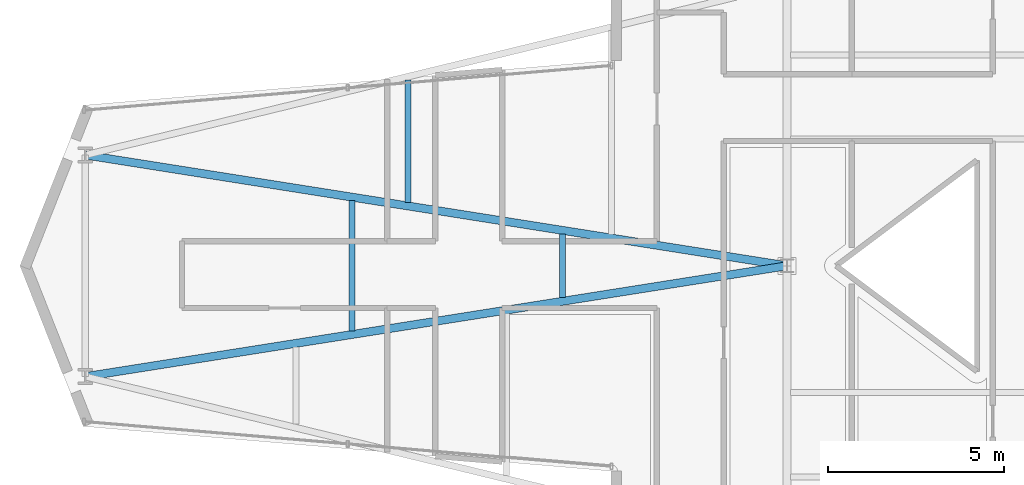
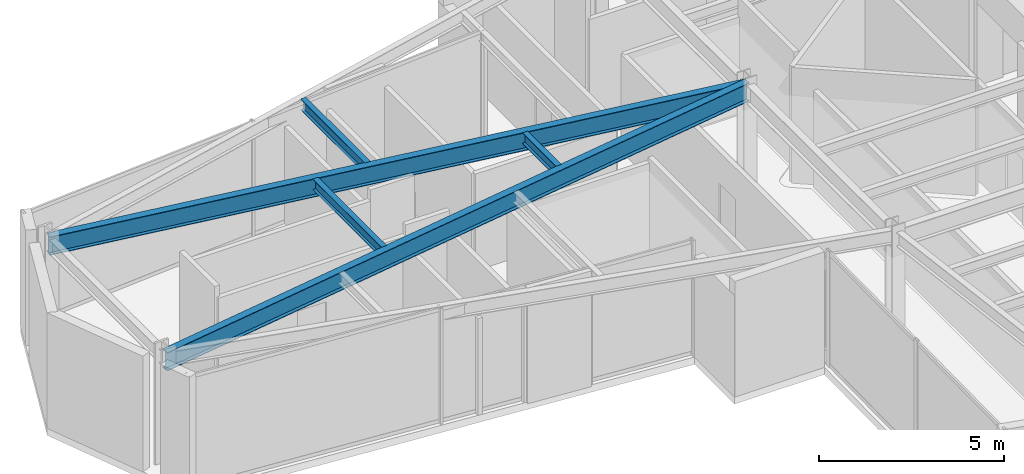
# One storey, part 7 of 25: 5 beams.
"""IFC4 building model written with IfcOpenShell, lengths in metres."""

from ifc_helpers import new_model, si_unit, direction, frame, origin, origin_2d, place, context, subcontext, project, spatial, i_section, extrude, material, material_profile, profile_set, type_object, element, save


model = new_model("IFC4")

# Units and contexts
model_context = context("Model", 3, precision=1e-05, world=origin(), true_north=direction((0.0, 1.0)))
body_context = subcontext(model_context, "Body", "Model", "MODEL_VIEW")
ifc_project = project(units=[si_unit("LENGTHUNIT", "METRE"), si_unit("AREAUNIT", "SQUARE_METRE"), si_unit("VOLUMEUNIT", "CUBIC_METRE"), si_unit("PLANEANGLEUNIT", "RADIAN"), si_unit("MASSUNIT", "GRAM", prefix="KILO")], contexts=[model_context])

# Site, building, storey
site_placement = place(None, origin())
site = spatial("IfcSite", under=ifc_project, at=site_placement, CompositionType="ELEMENT")
building_placement = place(site_placement, origin())
building = spatial("IfcBuilding", under=site, at=building_placement, Name="Veymaron Broadcast Tower", CompositionType="ELEMENT")
storey_placement = place(building_placement, frame((0.0, 0.0, 145.199951171875)))
storey = spatial("IfcBuildingStorey", under=building, at=storey_placement, Name="L33", CompositionType="ELEMENT", Elevation=145.199951171875)

# Beams
ifc_material = material(Name="Structural steel ASTM A992 Gr 50", Category="steel")
ifc_material_profile_1 = material_profile(ifc_material, i_section(OverallWidth=0.22802734375, OverallDepth=0.60791015625, WebThickness=0.01123046875, FlangeThickness=0.017333984375, at=origin_2d()), Name="W610X113")
ifc_profile_set_1 = profile_set([ifc_material_profile_1], Name="Structural steel ASTM A992 Gr 50")
beam_type_1 = type_object("IfcBeamType", Name="BM-FG2", PredefinedType="BEAM", material=ifc_profile_set_1)
for number, where, z_axis, x_axis, name in (
    (1, (11.25, 20.85009765625, 3.506103515625), (0.98776365139, 0.155958228358, 0.0), (-0.155958228358, 0.98776365139, 0.0), "L33 primary structural floor girder"),
    (2, (11.25, 27.14990234375, 3.506103515625), (0.98776365139, -0.155958228358, 0.0), (0.155958228358, 0.98776365139, 0.0), "L33 primary structural floor girder"),
):
    element("IfcBeam", number, at=place(storey_placement, frame(where, z_axis=z_axis, x_axis=x_axis)), inside=storey, type_object=beam_type_1, Name=name, PredefinedType="BEAM", context=body_context, shape_type="SweptSolid", body=[
        extrude(i_section(OverallWidth=0.22802734375, OverallDepth=0.60791015625, WebThickness=0.01123046875, FlangeThickness=0.017333984375, at=origin_2d()), origin(), (0.0, 0.0, 1.0), 20.197021484375),
    ])
ifc_material_profile_2 = material_profile(ifc_material, i_section(OverallWidth=0.1708984375, OverallDepth=0.35498046875, WebThickness=0.007080078125, FlangeThickness=0.01171875, at=origin_2d()), Name="W360X51")
ifc_profile_set_2 = profile_set([ifc_material_profile_2], Name="Structural steel ASTM A992 Gr 50")
beam_type_2 = type_object("IfcBeamType", Name="BM-JS2", PredefinedType="JOIST", material=ifc_profile_set_2)
beam_1_placement = place(storey_placement, frame((18.8310546875, 22.14697265625, 3.632568359375), z_axis=(0.0, 1.0, 0.0), x_axis=(-1.0, 0.0, 0.0)))
element("IfcBeam", 3, at=beam_1_placement, inside=storey, type_object=beam_type_2, Name="L33 Arm-A secondary joist 1M", PredefinedType="JOIST", context=body_context, shape_type="SweptSolid", body=[
    extrude(i_section(OverallWidth=0.1708984375, OverallDepth=0.35498046875, WebThickness=0.007080078125, FlangeThickness=0.01171875, at=origin_2d()), origin(), (0.0, 0.0, 1.0), 3.7060546875),
])
beam_2_placement = place(storey_placement, frame((20.427001953125, 25.801025390625, 3.632568359375), z_axis=(0.0, 1.0, 0.0), x_axis=(-1.0, 0.0, 0.0)))
element("IfcBeam", 4, at=beam_2_placement, inside=storey, type_object=beam_type_2, Name="L33 Arm-A secondary joist 1N", PredefinedType="JOIST", context=body_context, shape_type="SweptSolid", body=[
    extrude(i_section(OverallWidth=0.1708984375, OverallDepth=0.35498046875, WebThickness=0.007080078125, FlangeThickness=0.01171875, at=origin_2d()), origin(), (0.0, 0.0, 1.0), 3.47998046875),
])
beam_3_placement = place(storey_placement, frame((24.81591796875, 23.092041015625, 3.632568359375), z_axis=(0.0, 1.0, 0.0), x_axis=(-1.0, 0.0, 0.0)))
element("IfcBeam", 5, at=beam_3_placement, inside=storey, type_object=beam_type_2, Name="L33 Arm-A secondary joist 2M", PredefinedType="JOIST", context=body_context, shape_type="SweptSolid", body=[
    extrude(i_section(OverallWidth=0.1708984375, OverallDepth=0.35498046875, WebThickness=0.007080078125, FlangeThickness=0.01171875, at=origin_2d()), origin(), (0.0, 0.0, 1.0), 1.81591796875),
])

save(model, "model.ifc")
